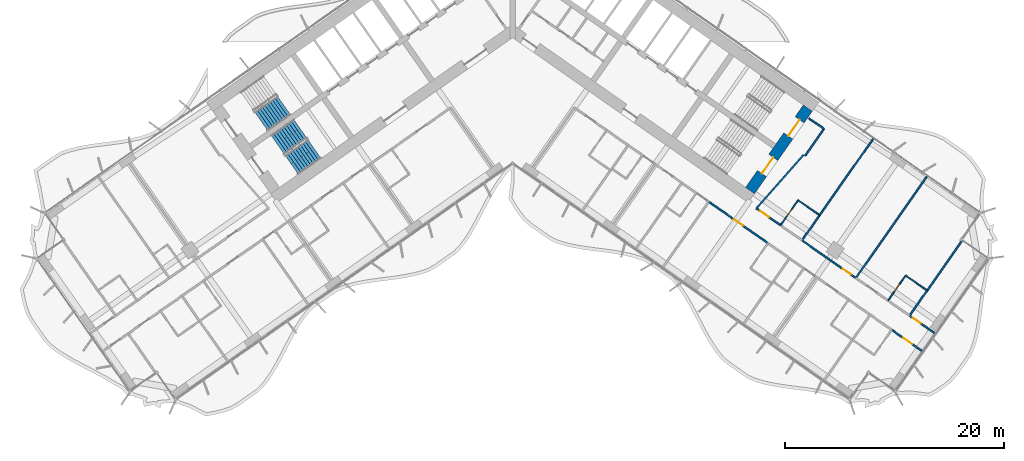
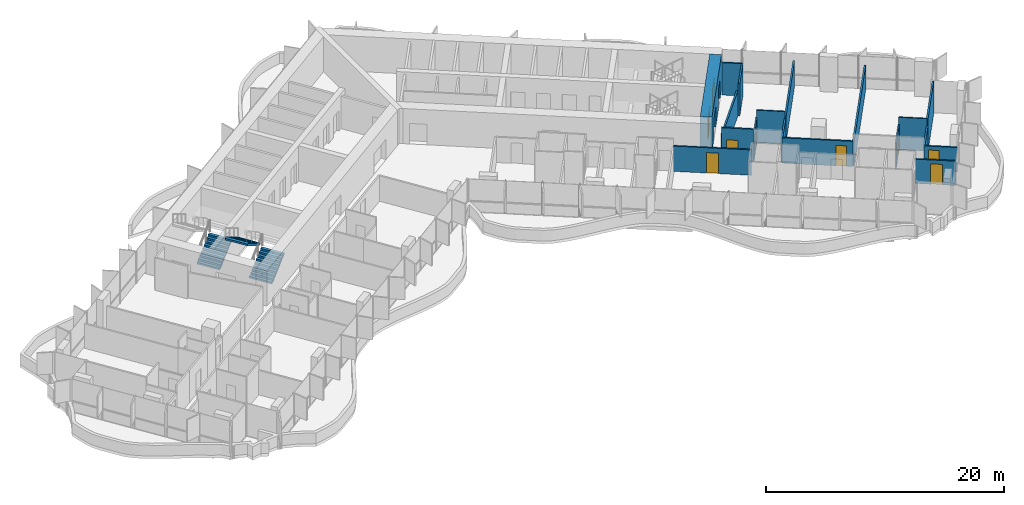
# One storey, part 17 of 24: 18 walls, 9 doors, 3 stair flights, 9 openings, 2 elements without a shape of their own.
"""IFC4 building model written with IfcOpenShell, lengths in metres."""

from ifc_helpers import new_model, si_unit, direction, frame, frame_2d, origin, place, context, subcontext, project, spatial, polyline, rectangle, outline, extrude, material, layer, layer_set, type_object, element, fill, aggregate, save


model = new_model("IFC4")

# Units and contexts
model_context = context("Model", 3, precision=1e-05, world=origin(), true_north=direction((0.0, 1.0)))
body_context = subcontext(model_context, "Body", "Model", "MODEL_VIEW")
ifc_project = project(units=[si_unit("LENGTHUNIT", "METRE"), si_unit("AREAUNIT", "SQUARE_METRE"), si_unit("VOLUMEUNIT", "CUBIC_METRE"), si_unit("PLANEANGLEUNIT", "RADIAN"), si_unit("MASSUNIT", "GRAM", prefix="KILO")], contexts=[model_context])

# Site, building, storey
site_placement = place(None, origin())
site = spatial("IfcSite", under=ifc_project, at=site_placement, CompositionType="ELEMENT")
building_placement = place(site_placement, origin())
building = spatial("IfcBuilding", under=site, at=building_placement, Name="Tel Ilan Convention Tower", CompositionType="ELEMENT")
storey_placement = place(building_placement, frame((0.0, 0.0, 65.300048828125)))
storey = spatial("IfcBuildingStorey", under=building, at=storey_placement, Name="L11", CompositionType="ELEMENT", Elevation=65.300048828125)

# Wall, openings, doors
ifc_material_1 = material(Name="Concrete C60/75", Category="concrete")
ifc_layer_1 = layer(ifc_material_1, 1.0)
ifc_layer_set_1 = layer_set([ifc_layer_1], Name="Core Shear Wall 1000 mm C60/75")
wall_type_1 = type_object("IfcWallType", Name="Core Shear Wall 1000 mm C60/75", PredefinedType="SHEAR", material=ifc_layer_set_1)
wall_1_placement = place(storey_placement, frame((21.70751953125, -15.19970703125, 0.0), z_axis=(0.0, 0.0, 1.0), x_axis=(0.573576324356, 0.819152122709, 0.0)))
wall_1 = element("IfcWall", 1, at=wall_1_placement, inside=storey, type_object=wall_type_1, Name="L11 core wall E-end", PredefinedType="SHEAR", context=body_context, shape_type="SweptSolid", body=[
    extrude(outline(polyline([(9.199951171875, 0.5), (0.0, 0.5), (0.0, -0.5), (9.199951171875, -0.5), (9.199951171875, 0.5)])), origin(), (0.0, 0.0, 1.0), 3.599853515625),
])
opening_1_placement = place(wall_1_placement, frame((6.10009765625, 0.0, 0.0)))
opening_1 = element("IfcOpeningElement", 2, at=opening_1_placement, cuts=wall_1, Name="Opening SD1203", PredefinedType="OPENING", context=body_context, shape_type="SweptSolid", body=[
    extrude(rectangle(XDim=1.800048828125, YDim=2.10009765625, at=frame_2d((0.89990234375, 1.050048828125))), frame((0.0, 0.510009765625, 0.0), z_axis=(0.0, -1.0, 0.0), x_axis=(1.0, 0.0, 0.0)), (0.0, 0.0, 1.0), 1.02001953125),
])
opening_2_placement = place(wall_1_placement, frame((1.89990234375, 0.0, 0.0)))
opening_2 = element("IfcOpeningElement", 3, at=opening_2_placement, cuts=wall_1, Name="Opening SD1204", PredefinedType="OPENING", context=body_context, shape_type="SweptSolid", body=[
    extrude(rectangle(XDim=1.800048828125, YDim=2.10009765625, at=frame_2d((0.89990234375, 1.050048828125))), frame((0.0, 0.510009765625, 0.0), z_axis=(0.0, -1.0, 0.0), x_axis=(1.0, 0.0, 0.0)), (0.0, 0.0, 1.0), 1.02001953125),
])
ifc_material_2 = material(Name="Galvanised Steel Door Leaf", Category="steel")
door_type_1 = type_object("IfcDoorType", Name="Stair Fire Door 1800 x 2100 FD60S", OperationType="NOTDEFINED", PredefinedType="DOOR", material=ifc_material_2)
door_1_placement = place(opening_1_placement, origin())
door_1 = element("IfcDoor", 4, at=door_1_placement, inside=storey, type_object=door_type_1, Name="Stair S3 door", OperationType="DOUBLE_DOOR_SINGLE_SWING", OverallHeight=2.10009765625, OverallWidth=1.800048828125, PredefinedType="DOOR", context=body_context, shape_type="SweptSolid", body=[
    extrude(rectangle(XDim=1.800048828125, YDim=2.10009765625, at=frame_2d((0.89990234375, 1.050048828125))), frame((0.0, 0.02490234375, 0.0), z_axis=(0.0, -1.0, 0.0), x_axis=(1.0, 0.0, 0.0)), (0.0, 0.0, 1.0), 0.050048828125),
])
fill(opening_1, door_1)
door_2_placement = place(opening_2_placement, origin())
door_2 = element("IfcDoor", 5, at=door_2_placement, inside=storey, type_object=door_type_1, Name="Stair S4 door", OperationType="DOUBLE_DOOR_SINGLE_SWING", OverallHeight=2.10009765625, OverallWidth=1.800048828125, PredefinedType="DOOR", context=body_context, shape_type="SweptSolid", body=[
    extrude(rectangle(XDim=1.800048828125, YDim=2.10009765625, at=frame_2d((0.89990234375, 1.050048828125))), frame((0.0, 0.02490234375, 0.0), z_axis=(0.0, -1.0, 0.0), x_axis=(1.0, 0.0, 0.0)), (0.0, 0.0, 1.0), 0.050048828125),
])
fill(opening_2, door_2)

# Wall, opening, door
ifc_material_3 = material(Name="Plasterboard on Steel Studs", Category="steel")
ifc_layer_2 = layer(ifc_material_3, 0.14990234375)
ifc_layer_set_2 = layer_set([ifc_layer_2], Name="Fire-rated Partition 150 EI 60")
wall_type_2 = type_object("IfcWallType", Name="Fire-rated Partition 150 EI 60", PredefinedType="PARTITIONING", material=ifc_layer_set_2)
wall_2_placement = place(storey_placement, frame((22.28369140625, -16.823974609375, 0.0), z_axis=(0.0, 0.0, 1.0), x_axis=(0.819176640776, -0.573541307325, 0.0)))
wall_2 = element("IfcWall", 6, at=wall_2_placement, inside=storey, type_object=wall_type_2, Name="Partition 001", PredefinedType="PARTITIONING", context=body_context, shape_type="SweptSolid", body=[
    extrude(rectangle(XDim=2.697509765625, YDim=0.14990234375, at=frame_2d((1.3486328125, 0.0))), origin(), (0.0, 0.0, 1.0), 3.320068359375),
])
opening_3_placement = place(wall_2_placement, frame((0.396240234375, 0.0, 0.0)))
opening_3 = element("IfcOpeningElement", 7, at=opening_3_placement, cuts=wall_2, Name="Opening L11-035", PredefinedType="OPENING", context=body_context, shape_type="SweptSolid", body=[
    extrude(rectangle(XDim=1.0, YDim=2.10009765625, at=frame_2d((0.5, 1.050048828125))), frame((0.0, 0.0849609375, 0.0), z_axis=(0.0, -1.0, 0.0), x_axis=(1.0, 0.0, 0.0)), (0.0, 0.0, 1.0), 0.169921875),
])
ifc_material_4 = material(Name="Timber Door Leaf in Steel Frame", Category="steel")
door_type_2 = type_object("IfcDoorType", Name="Hotel Room Entrance Fire Door 1000x2100", OperationType="NOTDEFINED", PredefinedType="DOOR", material=ifc_material_4)
door_3_placement = place(opening_3_placement, origin())
door_3 = element("IfcDoor", 8, at=door_3_placement, inside=storey, type_object=door_type_2, Name="Door L11-035", OperationType="SINGLE_SWING_LEFT", OverallHeight=2.10009765625, OverallWidth=1.0, PredefinedType="DOOR", context=body_context, shape_type="SweptSolid", body=[
    extrude(rectangle(XDim=1.0, YDim=2.10009765625, at=frame_2d((0.5, 1.050048828125))), frame((0.0, 0.02490234375, 0.0), z_axis=(0.0, -1.0, 0.0), x_axis=(1.0, 0.0, 0.0)), (0.0, 0.0, 1.0), 0.050048828125),
])
fill(opening_3, door_3)

wall_3_placement = place(storey_placement, frame((26.456787109375, -19.74609375, 0.0), z_axis=(0.0, 0.0, 1.0), x_axis=(0.819165052243, -0.573557858619, 0.0)))
wall_3 = element("IfcWall", 9, at=wall_3_placement, inside=storey, type_object=wall_type_2, Name="Partition 003", PredefinedType="PARTITIONING", context=body_context, shape_type="SweptSolid", body=[
    extrude(rectangle(XDim=6.00390625, YDim=0.14990234375, at=frame_2d((3.001953125, 0.0))), origin(), (0.0, 0.0, 1.0), 2.599853515625),
])
opening_4_placement = place(wall_3_placement, frame((4.552001953125, 0.0, 0.0)))
opening_4 = element("IfcOpeningElement", 10, at=opening_4_placement, cuts=wall_3, Name="Opening L11-036", PredefinedType="OPENING", context=body_context, shape_type="SweptSolid", body=[
    extrude(rectangle(XDim=0.89990234375, YDim=2.10009765625, at=frame_2d((0.449951171875, 1.050048828125))), frame((0.0, 0.0849609375, 0.0), z_axis=(0.0, -1.0, 0.0), x_axis=(1.0, 0.0, 0.0)), (0.0, 0.0, 1.0), 0.169921875),
])
ifc_material_5 = material(Name="Timber Door Leaf in Steel Frame", Category="steel")
door_type_3 = type_object("IfcDoorType", Name="Room Fire Door 900x2100", OperationType="NOTDEFINED", PredefinedType="DOOR", material=ifc_material_5)
door_4_placement = place(opening_4_placement, origin())
door_4 = element("IfcDoor", 11, at=door_4_placement, inside=storey, type_object=door_type_3, Name="Door L11-036", OperationType="SINGLE_SWING_RIGHT", OverallHeight=2.10009765625, OverallWidth=0.89990234375, PredefinedType="DOOR", context=body_context, shape_type="SweptSolid", body=[
    extrude(rectangle(XDim=0.89990234375, YDim=2.10009765625, at=frame_2d((0.449951171875, 1.050048828125))), frame((0.0, 0.02490234375, 0.0), z_axis=(0.0, -1.0, 0.0), x_axis=(1.0, 0.0, 0.0)), (0.0, 0.0, 1.0), 0.050048828125),
])
fill(opening_4, door_4)

wall_4_placement = place(storey_placement, frame((36.28662109375, -26.62890625, 0.0), z_axis=(0.0, 0.0, 1.0), x_axis=(0.819137759006, -0.573596837309, 0.0)))
wall_4 = element("IfcWall", 12, at=wall_4_placement, inside=storey, type_object=wall_type_2, Name="Partition 006", PredefinedType="PARTITIONING", context=body_context, shape_type="SweptSolid", body=[
    extrude(rectangle(XDim=2.802001953125, YDim=0.14990234375, at=frame_2d((1.40087890625, 0.0))), origin(), (0.0, 0.0, 1.0), 2.5),
])
opening_5_placement = place(wall_4_placement, frame((0.35107421875, 0.0, 0.0)))
opening_5 = element("IfcOpeningElement", 13, at=opening_5_placement, cuts=wall_4, Name="Opening L11-039", PredefinedType="OPENING", context=body_context, shape_type="SweptSolid", body=[
    extrude(rectangle(XDim=0.89990234375, YDim=2.10009765625, at=frame_2d((0.449951171875, 1.050048828125))), frame((0.0, 0.0849609375, 0.0), z_axis=(0.0, -1.0, 0.0), x_axis=(1.0, 0.0, 0.0)), (0.0, 0.0, 1.0), 0.169921875),
])
door_5_placement = place(opening_5_placement, origin())
door_5 = element("IfcDoor", 14, at=door_5_placement, inside=storey, type_object=door_type_3, Name="Door L11-039", OperationType="SINGLE_SWING_LEFT", OverallHeight=2.10009765625, OverallWidth=0.89990234375, PredefinedType="DOOR", context=body_context, shape_type="SweptSolid", body=[
    extrude(rectangle(XDim=0.89990234375, YDim=2.10009765625, at=frame_2d((0.449951171875, 1.050048828125))), frame((0.0, 0.02490234375, 0.0), z_axis=(0.0, -1.0, 0.0), x_axis=(1.0, 0.0, 0.0)), (0.0, 0.0, 1.0), 0.050048828125),
])
fill(opening_5, door_5)

wall_5_placement = place(storey_placement, frame((23.34619140625, -20.009521484375, 0.0), z_axis=(0.0, 0.0, 1.0), x_axis=(-0.819153746897, 0.573574004767, 0.0)))
wall_5 = element("IfcWall", 15, at=wall_5_placement, inside=storey, type_object=wall_type_2, Name="Partition 014", PredefinedType="PARTITIONING", context=body_context, shape_type="SweptSolid", body=[
    extrude(rectangle(XDim=6.60302734375, YDim=0.14990234375, at=frame_2d((3.301513671875, 0.0))), origin(), (0.0, 0.0, 1.0), 2.599853515625),
])
opening_6_placement = place(wall_5_placement, frame((2.801025390625, 0.0, 0.0)))
opening_6 = element("IfcOpeningElement", 16, at=opening_6_placement, cuts=wall_5, Name="Opening L11-027", PredefinedType="OPENING", context=body_context, shape_type="SweptSolid", body=[
    extrude(rectangle(XDim=1.0, YDim=2.10009765625, at=frame_2d((0.5, 1.050048828125))), frame((0.0, 0.0849609375, 0.0), z_axis=(0.0, -1.0, 0.0), x_axis=(1.0, 0.0, 0.0)), (0.0, 0.0, 1.0), 0.169921875),
])
door_6_placement = place(opening_6_placement, origin())
door_6 = element("IfcDoor", 17, at=door_6_placement, inside=storey, type_object=door_type_2, Name="Door L11-027", OperationType="SINGLE_SWING_RIGHT", OverallHeight=2.10009765625, OverallWidth=1.0, PredefinedType="DOOR", context=body_context, shape_type="SweptSolid", body=[
    extrude(rectangle(XDim=1.0, YDim=2.10009765625, at=frame_2d((0.5, 1.050048828125))), frame((0.0, 0.02490234375, 0.0), z_axis=(0.0, -1.0, 0.0), x_axis=(1.0, 0.0, 0.0)), (0.0, 0.0, 1.0), 0.050048828125),
])
fill(opening_6, door_6)

wall_6_placement = place(storey_placement, frame((37.434814453125, -29.87451171875, 0.0), z_axis=(0.0, 0.0, 1.0), x_axis=(-0.819144234337, 0.573587589957, 0.0)))
wall_6 = element("IfcWall", 18, at=wall_6_placement, inside=storey, type_object=wall_type_2, Name="Partition 020", PredefinedType="PARTITIONING", context=body_context, shape_type="SweptSolid", body=[
    extrude(rectangle(XDim=3.4013671875, YDim=0.14990234375, at=frame_2d((1.70068359375, 0.0))), origin(), (0.0, 0.0, 1.0), 2.5),
])
opening_7_placement = place(wall_6_placement, frame((1.10009765625, 0.0, 0.0)))
opening_7 = element("IfcOpeningElement", 19, at=opening_7_placement, cuts=wall_6, Name="Opening L11-033", PredefinedType="OPENING", context=body_context, shape_type="SweptSolid", body=[
    extrude(rectangle(XDim=1.0, YDim=2.10009765625, at=frame_2d((0.5, 1.050048828125))), frame((0.0, 0.0849609375, 0.0), z_axis=(0.0, -1.0, 0.0), x_axis=(1.0, 0.0, 0.0)), (0.0, 0.0, 1.0), 0.169921875),
])
door_7_placement = place(opening_7_placement, origin())
door_7 = element("IfcDoor", 20, at=door_7_placement, inside=storey, type_object=door_type_2, Name="Door L11-033", OperationType="SINGLE_SWING_RIGHT", OverallHeight=2.10009765625, OverallWidth=1.0, PredefinedType="DOOR", context=body_context, shape_type="SweptSolid", body=[
    extrude(rectangle(XDim=1.0, YDim=2.10009765625, at=frame_2d((0.5, 1.050048828125))), frame((0.0, 0.02490234375, 0.0), z_axis=(0.0, -1.0, 0.0), x_axis=(1.0, 0.0, 0.0)), (0.0, 0.0, 1.0), 0.050048828125),
])
fill(opening_7, door_7)

# Walls
wall_7_placement = place(storey_placement, frame((32.93994140625, -10.49072265625, 0.0), z_axis=(0.0, 0.0, 1.0), x_axis=(-0.573593433868, -0.819140142237, 0.0)))
element("IfcWall", 21, at=wall_7_placement, inside=storey, type_object=wall_type_2, Name="Partition 042", PredefinedType="PARTITIONING", context=body_context, shape_type="SweptSolid", body=[
    extrude(rectangle(XDim=8.4990234375, YDim=0.14990234375, at=frame_2d((4.24951171875, 0.0))), origin(), (0.0, 0.0, 1.0), 2.599853515625),
])
wall_8_placement = place(storey_placement, frame((22.285400390625, -16.8251953125, 0.0), z_axis=(0.0, 0.0, 1.0), x_axis=(0.661551268245, 0.749899939647, 0.0)))
element("IfcWall", 22, at=wall_8_placement, inside=storey, type_object=wall_type_2, Name="Partition 043", PredefinedType="PARTITIONING", context=body_context, shape_type="SweptSolid", body=[
    extrude(rectangle(XDim=6.541015625, YDim=0.14990234375, at=frame_2d((3.2705078125, 0.0))), origin(), (0.0, 0.0, 1.0), 2.599853515625),
])
wall_9_placement = place(storey_placement, frame((26.74609375, -12.013671875, 0.0), z_axis=(0.0, 0.0, 1.0), x_axis=(0.573560650686, 0.819163097304, 0.0)))
element("IfcWall", 23, at=wall_9_placement, inside=storey, type_object=wall_type_2, Name="Partition 044", PredefinedType="PARTITIONING", context=body_context, shape_type="SweptSolid", body=[
    extrude(rectangle(XDim=3.0, YDim=0.14990234375, at=frame_2d((1.5, 0.0))), origin(), (0.0, 0.0, 1.0), 3.320068359375),
])
wall_10_placement = place(storey_placement, frame((28.466796875, -9.55615234375, 0.0), z_axis=(0.0, 0.0, 1.0), x_axis=(-0.819109000826, 0.573637903879, 0.0)))
element("IfcWall", 24, at=wall_10_placement, inside=storey, type_object=wall_type_2, Name="Partition 045", PredefinedType="PARTITIONING", context=body_context, shape_type="SweptSolid", body=[
    extrude(rectangle(XDim=1.679931640625, YDim=0.14990234375, at=frame_2d((0.83984375, 0.0))), origin(), (0.0, 0.0, 1.0), 3.320068359375),
])
wall_11_placement = place(storey_placement, frame((28.064453125, -17.45361328125, 0.0), z_axis=(0.0, 0.0, 1.0), x_axis=(-0.573550118428, -0.819170471667, 0.0)))
element("IfcWall", 25, at=wall_11_placement, inside=storey, type_object=wall_type_2, Name="Partition 046", PredefinedType="PARTITIONING", context=body_context, shape_type="SweptSolid", body=[
    extrude(rectangle(XDim=2.800048828125, YDim=0.14990234375, at=frame_2d((1.39990234375, 0.0))), origin(), (0.0, 0.0, 1.0), 2.599853515625),
])
wall_12_placement = place(storey_placement, frame((37.854736328125, -13.93212890625, 0.0), z_axis=(0.0, 0.0, 1.0), x_axis=(-0.573571089604, -0.819155788095, 0.0)))
element("IfcWall", 26, at=wall_12_placement, inside=storey, type_object=wall_type_2, Name="Partition 047", PredefinedType="PARTITIONING", context=body_context, shape_type="SweptSolid", body=[
    extrude(rectangle(XDim=11.300048828125, YDim=0.14990234375, at=frame_2d((5.64990234375, 0.0))), origin(), (0.0, 0.0, 1.0), 2.5),
])
wall_13_placement = place(storey_placement, frame((41.048828125, -19.8310546875, 0.0), z_axis=(0.0, 0.0, 1.0), x_axis=(-0.573530875885, -0.819183944183, 0.0)))
element("IfcWall", 27, at=wall_13_placement, inside=storey, type_object=wall_type_2, Name="Partition 050", PredefinedType="PARTITIONING", context=body_context, shape_type="SweptSolid", body=[
    extrude(rectangle(XDim=5.4990234375, YDim=0.14990234375, at=frame_2d((2.74951171875, 0.0))), origin(), (0.0, 0.0, 1.0), 3.320068359375),
])
wall_14_placement = place(storey_placement, frame((37.894287109375, -24.33642578125, 0.0), z_axis=(0.0, 0.0, 1.0), x_axis=(-0.573550118428, -0.819170471667, 0.0)))
element("IfcWall", 28, at=wall_14_placement, inside=storey, type_object=wall_type_2, Name="Partition 051", PredefinedType="PARTITIONING", context=body_context, shape_type="SweptSolid", body=[
    extrude(rectangle(XDim=2.800048828125, YDim=0.14990234375, at=frame_2d((1.39990234375, 0.0))), origin(), (0.0, 0.0, 1.0), 2.599853515625),
])

# Wall, opening, door
ifc_material_6 = material(Name="Plasterboard on Steel Studs", Category="steel")
ifc_layer_3 = layer(ifc_material_6, 0.1201171875)
ifc_layer_set_3 = layer_set([ifc_layer_3], Name="Moisture-resistant Partition 120")
wall_type_3 = type_object("IfcWallType", Name="Moisture-resistant Partition 120", PredefinedType="PARTITIONING", material=ifc_layer_set_3)
wall_15_placement = place(storey_placement, frame((26.09765625, -16.076416015625, 0.0), z_axis=(0.0, 0.0, 1.0), x_axis=(-0.573550118428, -0.819170471667, 0.0)))
wall_15 = element("IfcWall", 29, at=wall_15_placement, inside=storey, type_object=wall_type_3, Name="Partition 040", PredefinedType="PARTITIONING", context=body_context, shape_type="SweptSolid", body=[
    extrude(rectangle(XDim=2.800048828125, YDim=0.1201171875, at=frame_2d((1.39990234375, 0.0))), origin(), (0.0, 0.0, 1.0), 2.599853515625),
])
opening_8_placement = place(wall_15_placement, frame((0.97509765625, 0.0, 0.0)))
opening_8 = element("IfcOpeningElement", 30, at=opening_8_placement, cuts=wall_15, Name="Opening L11-034", PredefinedType="OPENING", context=body_context, shape_type="SweptSolid", body=[
    extrude(rectangle(XDim=0.85009765625, YDim=2.050048828125, at=frame_2d((0.425048828125, 1.02490234375))), frame((0.0, 0.070068359375, 0.0), z_axis=(0.0, -1.0, 0.0), x_axis=(1.0, 0.0, 0.0)), (0.0, 0.0, 1.0), 0.14013671875),
])
ifc_material_7 = material(Name="Timber Door Leaf in Steel Frame", Category="steel")
door_type_4 = type_object("IfcDoorType", Name="Bathroom Timber Door 850x2050", OperationType="NOTDEFINED", PredefinedType="DOOR", material=ifc_material_7)
door_8_placement = place(opening_8_placement, origin())
door_8 = element("IfcDoor", 31, at=door_8_placement, inside=storey, type_object=door_type_4, Name="Door L11-034", OperationType="SINGLE_SWING_RIGHT", OverallHeight=2.050048828125, OverallWidth=0.85009765625, PredefinedType="DOOR", context=body_context, shape_type="SweptSolid", body=[
    extrude(rectangle(XDim=0.85009765625, YDim=2.050048828125, at=frame_2d((0.425048828125, 1.02490234375))), frame((0.0, 0.02490234375, 0.0), z_axis=(0.0, -1.0, 0.0), x_axis=(1.0, 0.0, 0.0)), (0.0, 0.0, 1.0), 0.050048828125),
])
fill(opening_8, door_8)

# Walls
wall_16_placement = place(storey_placement, frame((28.06494140625, -17.45263671875, 0.0), z_axis=(0.0, 0.0, 1.0), x_axis=(-0.819155442668, 0.573571582932, 0.0)))
element("IfcWall", 32, at=wall_16_placement, inside=storey, type_object=wall_type_3, Name="Partition 041", PredefinedType="PARTITIONING", context=body_context, shape_type="SweptSolid", body=[
    extrude(rectangle(XDim=2.39990234375, YDim=0.1201171875, at=frame_2d((1.199951171875, 0.0))), origin(), (0.0, 0.0, 1.0), 3.320068359375),
])
wall_17_placement = place(storey_placement, frame((37.89501953125, -24.335693359375, 0.0), z_axis=(0.0, 0.0, 1.0), x_axis=(-0.819141114317, 0.573592045652, 0.0)))
element("IfcWall", 33, at=wall_17_placement, inside=storey, type_object=wall_type_3, Name="Partition 048", PredefinedType="PARTITIONING", context=body_context, shape_type="SweptSolid", body=[
    extrude(rectangle(XDim=2.400146484375, YDim=0.1201171875, at=frame_2d((1.2001953125, 0.0))), origin(), (0.0, 0.0, 1.0), 3.320068359375),
])

# Wall, opening, door
wall_18_placement = place(storey_placement, frame((35.927490234375, -22.959228515625, 0.0), z_axis=(0.0, 0.0, 1.0), x_axis=(-0.573550118428, -0.819170471667, 0.0)))
wall_18 = element("IfcWall", 34, at=wall_18_placement, inside=storey, type_object=wall_type_3, Name="Partition 049", PredefinedType="PARTITIONING", context=body_context, shape_type="SweptSolid", body=[
    extrude(rectangle(XDim=2.800048828125, YDim=0.1201171875, at=frame_2d((1.39990234375, 0.0))), origin(), (0.0, 0.0, 1.0), 2.599853515625),
])
opening_9_placement = place(wall_18_placement, frame((0.97509765625, 0.0, 0.0)))
opening_9 = element("IfcOpeningElement", 35, at=opening_9_placement, cuts=wall_18, Name="Opening L11-037", PredefinedType="OPENING", context=body_context, shape_type="SweptSolid", body=[
    extrude(rectangle(XDim=0.85009765625, YDim=2.050048828125, at=frame_2d((0.425048828125, 1.02490234375))), frame((0.0, 0.070068359375, 0.0), z_axis=(0.0, -1.0, 0.0), x_axis=(1.0, 0.0, 0.0)), (0.0, 0.0, 1.0), 0.14013671875),
])
door_9_placement = place(opening_9_placement, origin())
door_9 = element("IfcDoor", 36, at=door_9_placement, inside=storey, type_object=door_type_4, Name="Door L11-037", OperationType="SINGLE_SWING_LEFT", OverallHeight=2.050048828125, OverallWidth=0.85009765625, PredefinedType="DOOR", context=body_context, shape_type="SweptSolid", body=[
    extrude(rectangle(XDim=0.85009765625, YDim=2.050048828125, at=frame_2d((0.425048828125, 1.02490234375))), frame((0.0, 0.02490234375, 0.0), z_axis=(0.0, -1.0, 0.0), x_axis=(1.0, 0.0, 0.0)), (0.0, 0.0, 1.0), 0.050048828125),
])
fill(opening_9, door_9)

# Stair, stair flight
ifc_material_8 = material(Name="Concrete C40/50", Category="concrete")
stair_type = type_object("IfcStairType", Name="Pressurised Exit Stair 20 risers 180 mm", PredefinedType="HALF_TURN_STAIR", material=ifc_material_8)
stair_1_placement = place(storey_placement, origin())
stair_1 = element("IfcStair", 37, at=stair_1_placement, inside=storey, type_object=stair_type, Name="L11 Pressurised Stair S1", PredefinedType="HALF_TURN_STAIR")
ifc_material_9 = material(Name="Precast Concrete C40/50", Category="concrete")
stair_flight_type = type_object("IfcStairFlightType", Name="Concrete Stair Flight 2100 mm 20 risers 180 mm", PredefinedType="STRAIGHT", material=ifc_material_9)
stair_flight_1_placement = place(storey_placement, frame((-22.9619140625, -8.87548828125, 0.0), z_axis=(0.0, 0.0, 1.0), x_axis=(0.819152044289, 0.573576436351, 0.0)))
stair_flight_1 = element("IfcStairFlight", 38, at=stair_flight_1_placement, type_object=stair_flight_type, Name="S1 flight 1", NumberOfRisers=10, NumberOfTreads=9, PredefinedType="STRAIGHT", RiserHeight=0.18, TreadLength=0.28, context=body_context, shape_type="SweptSolid", body=[
    extrude(outline(polyline([(0.0, 0.0), (0.0, 0.179931640625), (0.280029296875, 0.179931640625), (0.280029296875, 0.360107421875), (0.56005859375, 0.360107421875), (0.56005859375, 0.5400390625), (0.840087890625, 0.5400390625), (0.840087890625, 0.719970703125), (1.1201171875, 0.719970703125), (1.1201171875, 0.89990234375), (1.39990234375, 0.89990234375), (1.39990234375, 1.080078125), (1.679931640625, 1.080078125), (1.679931640625, 1.260009765625), (1.9599609375, 1.260009765625), (1.9599609375, 1.43994140625), (2.239990234375, 1.43994140625), (2.239990234375, 1.6201171875), (2.52001953125, 1.6201171875), (2.52001953125, 1.800048828125), (2.52001953125, 1.44189453125), (0.277099609375, 0.0), (0.0, 0.0)])), frame((0.0, -0.100341796875, 0.0), z_axis=(0.0, -1.0, 0.0), x_axis=(1.0, 0.0, 0.0)), (0.0, 0.0, 1.0), 0.94970703125),
    extrude(outline(polyline([(0.0, 0.0), (0.0, 0.179931640625), (0.280029296875, 0.179931640625), (0.280029296875, 0.360107421875), (0.56005859375, 0.360107421875), (0.56005859375, 0.5400390625), (0.840087890625, 0.5400390625), (0.840087890625, 0.719970703125), (1.1201171875, 0.719970703125), (1.1201171875, 0.89990234375), (1.39990234375, 0.89990234375), (1.39990234375, 1.080078125), (1.679931640625, 1.080078125), (1.679931640625, 1.260009765625), (1.9599609375, 1.260009765625), (1.9599609375, 1.43994140625), (2.239990234375, 1.43994140625), (2.239990234375, 1.6201171875), (2.52001953125, 1.6201171875), (2.52001953125, 1.800048828125), (2.52001953125, 1.44189453125), (0.277099609375, 0.0), (0.0, 0.0)])), frame((0.0, -0.000244140625, 0.0), z_axis=(0.0, -1.0, 0.0), x_axis=(1.0, 0.0, 0.0)), (0.0, 0.0, 1.0), 0.099609375),
    extrude(outline(polyline([(0.0, 0.0), (0.0, 0.179931640625), (0.280029296875, 0.179931640625), (0.280029296875, 0.360107421875), (0.56005859375, 0.360107421875), (0.56005859375, 0.5400390625), (0.840087890625, 0.5400390625), (0.840087890625, 0.719970703125), (1.1201171875, 0.719970703125), (1.1201171875, 0.89990234375), (1.39990234375, 0.89990234375), (1.39990234375, 1.080078125), (1.679931640625, 1.080078125), (1.679931640625, 1.260009765625), (1.9599609375, 1.260009765625), (1.9599609375, 1.43994140625), (2.239990234375, 1.43994140625), (2.239990234375, 1.6201171875), (2.52001953125, 1.6201171875), (2.52001953125, 1.800048828125), (2.52001953125, 1.44189453125), (0.277099609375, 0.0), (0.0, 0.0)])), frame((0.0, 0.099853515625, 0.0), z_axis=(0.0, -1.0, 0.0), x_axis=(1.0, 0.0, 0.0)), (0.0, 0.0, 1.0), 0.099609375),
    extrude(outline(polyline([(0.0, 0.0), (0.0, 0.179931640625), (0.280029296875, 0.179931640625), (0.280029296875, 0.360107421875), (0.56005859375, 0.360107421875), (0.56005859375, 0.5400390625), (0.840087890625, 0.5400390625), (0.840087890625, 0.719970703125), (1.1201171875, 0.719970703125), (1.1201171875, 0.89990234375), (1.39990234375, 0.89990234375), (1.39990234375, 1.080078125), (1.679931640625, 1.080078125), (1.679931640625, 1.260009765625), (1.9599609375, 1.260009765625), (1.9599609375, 1.43994140625), (2.239990234375, 1.43994140625), (2.239990234375, 1.6201171875), (2.52001953125, 1.6201171875), (2.52001953125, 1.800048828125), (2.52001953125, 1.44189453125), (0.277099609375, 0.0), (0.0, 0.0)])), frame((0.0, 1.050048828125, 0.0), z_axis=(0.0, -1.0, 0.0), x_axis=(1.0, 0.0, 0.0)), (0.0, 0.0, 1.0), 0.94970703125),
])
aggregate(stair_1, [stair_flight_1])

# Stair, stair flights
stair_2_placement = place(storey_placement, origin())
stair_2 = element("IfcStair", 39, at=stair_2_placement, inside=storey, type_object=stair_type, Name="L11 Pressurised Stair S2", PredefinedType="HALF_TURN_STAIR")
stair_flight_2_placement = place(storey_placement, frame((-20.179931640625, -12.848388671875, 0.0), z_axis=(0.0, 0.0, 1.0), x_axis=(0.819152044289, 0.573576436351, 0.0)))
stair_flight_2 = element("IfcStairFlight", 40, at=stair_flight_2_placement, type_object=stair_flight_type, Name="S2 flight 1", NumberOfRisers=10, NumberOfTreads=9, PredefinedType="STRAIGHT", RiserHeight=0.18, TreadLength=0.28, context=body_context, shape_type="SweptSolid", body=[
    extrude(outline(polyline([(0.0, 0.0), (0.0, 0.179931640625), (0.280029296875, 0.179931640625), (0.280029296875, 0.360107421875), (0.56005859375, 0.360107421875), (0.56005859375, 0.5400390625), (0.840087890625, 0.5400390625), (0.840087890625, 0.719970703125), (1.1201171875, 0.719970703125), (1.1201171875, 0.89990234375), (1.39990234375, 0.89990234375), (1.39990234375, 1.080078125), (1.679931640625, 1.080078125), (1.679931640625, 1.260009765625), (1.9599609375, 1.260009765625), (1.9599609375, 1.43994140625), (2.239990234375, 1.43994140625), (2.239990234375, 1.6201171875), (2.52001953125, 1.6201171875), (2.52001953125, 1.800048828125), (2.52001953125, 1.44189453125), (0.277099609375, 0.0), (0.0, 0.0)])), frame((0.0, -0.100341796875, 0.0), z_axis=(0.0, -1.0, 0.0), x_axis=(1.0, 0.0, 0.0)), (0.0, 0.0, 1.0), 0.94970703125),
    extrude(outline(polyline([(0.0, 0.0), (0.0, 0.179931640625), (0.280029296875, 0.179931640625), (0.280029296875, 0.360107421875), (0.56005859375, 0.360107421875), (0.56005859375, 0.5400390625), (0.840087890625, 0.5400390625), (0.840087890625, 0.719970703125), (1.1201171875, 0.719970703125), (1.1201171875, 0.89990234375), (1.39990234375, 0.89990234375), (1.39990234375, 1.080078125), (1.679931640625, 1.080078125), (1.679931640625, 1.260009765625), (1.9599609375, 1.260009765625), (1.9599609375, 1.43994140625), (2.239990234375, 1.43994140625), (2.239990234375, 1.6201171875), (2.52001953125, 1.6201171875), (2.52001953125, 1.800048828125), (2.52001953125, 1.44189453125), (0.277099609375, 0.0), (0.0, 0.0)])), frame((0.0, -0.000244140625, 0.0), z_axis=(0.0, -1.0, 0.0), x_axis=(1.0, 0.0, 0.0)), (0.0, 0.0, 1.0), 0.099609375),
    extrude(outline(polyline([(0.0, 0.0), (0.0, 0.179931640625), (0.280029296875, 0.179931640625), (0.280029296875, 0.360107421875), (0.56005859375, 0.360107421875), (0.56005859375, 0.5400390625), (0.840087890625, 0.5400390625), (0.840087890625, 0.719970703125), (1.1201171875, 0.719970703125), (1.1201171875, 0.89990234375), (1.39990234375, 0.89990234375), (1.39990234375, 1.080078125), (1.679931640625, 1.080078125), (1.679931640625, 1.260009765625), (1.9599609375, 1.260009765625), (1.9599609375, 1.43994140625), (2.239990234375, 1.43994140625), (2.239990234375, 1.6201171875), (2.52001953125, 1.6201171875), (2.52001953125, 1.800048828125), (2.52001953125, 1.44189453125), (0.277099609375, 0.0), (0.0, 0.0)])), frame((0.0, 0.099853515625, 0.0), z_axis=(0.0, -1.0, 0.0), x_axis=(1.0, 0.0, 0.0)), (0.0, 0.0, 1.0), 0.099609375),
    extrude(outline(polyline([(0.0, 0.0), (0.0, 0.179931640625), (0.280029296875, 0.179931640625), (0.280029296875, 0.360107421875), (0.56005859375, 0.360107421875), (0.56005859375, 0.5400390625), (0.840087890625, 0.5400390625), (0.840087890625, 0.719970703125), (1.1201171875, 0.719970703125), (1.1201171875, 0.89990234375), (1.39990234375, 0.89990234375), (1.39990234375, 1.080078125), (1.679931640625, 1.080078125), (1.679931640625, 1.260009765625), (1.9599609375, 1.260009765625), (1.9599609375, 1.43994140625), (2.239990234375, 1.43994140625), (2.239990234375, 1.6201171875), (2.52001953125, 1.6201171875), (2.52001953125, 1.800048828125), (2.52001953125, 1.44189453125), (0.277099609375, 0.0), (0.0, 0.0)])), frame((0.0, 1.050048828125, 0.0), z_axis=(0.0, -1.0, 0.0), x_axis=(1.0, 0.0, 0.0)), (0.0, 0.0, 1.0), 0.94970703125),
])
stair_flight_3_placement = place(storey_placement, frame((-19.40625, -9.559814453125, 1.800048828125), z_axis=(0.0, 0.0, 1.0), x_axis=(-0.819152044289, -0.573576436351, 0.0)))
stair_flight_3 = element("IfcStairFlight", 41, at=stair_flight_3_placement, type_object=stair_flight_type, Name="S2 flight 2", NumberOfRisers=10, NumberOfTreads=9, PredefinedType="STRAIGHT", RiserHeight=0.18, TreadLength=0.28, context=body_context, shape_type="SweptSolid", body=[
    extrude(outline(polyline([(0.0, 0.0), (0.0, 0.179931640625), (0.280029296875, 0.179931640625), (0.280029296875, 0.360107421875), (0.56005859375, 0.360107421875), (0.56005859375, 0.5400390625), (0.840087890625, 0.5400390625), (0.840087890625, 0.719970703125), (1.1201171875, 0.719970703125), (1.1201171875, 0.89990234375), (1.39990234375, 0.89990234375), (1.39990234375, 1.080078125), (1.679931640625, 1.080078125), (1.679931640625, 1.260009765625), (1.9599609375, 1.260009765625), (1.9599609375, 1.43994140625), (2.239990234375, 1.43994140625), (2.239990234375, 1.6201171875), (2.52001953125, 1.6201171875), (2.52001953125, 1.800048828125), (2.52001953125, 1.44189453125), (0.277099609375, 0.0), (0.0, 0.0)])), frame((0.0, -0.100341796875, 0.0), z_axis=(0.0, -1.0, 0.0), x_axis=(1.0, 0.0, 0.0)), (0.0, 0.0, 1.0), 0.94970703125),
    extrude(outline(polyline([(0.0, 0.0), (0.0, 0.179931640625), (0.280029296875, 0.179931640625), (0.280029296875, 0.360107421875), (0.56005859375, 0.360107421875), (0.56005859375, 0.5400390625), (0.840087890625, 0.5400390625), (0.840087890625, 0.719970703125), (1.1201171875, 0.719970703125), (1.1201171875, 0.89990234375), (1.39990234375, 0.89990234375), (1.39990234375, 1.080078125), (1.679931640625, 1.080078125), (1.679931640625, 1.260009765625), (1.9599609375, 1.260009765625), (1.9599609375, 1.43994140625), (2.239990234375, 1.43994140625), (2.239990234375, 1.6201171875), (2.52001953125, 1.6201171875), (2.52001953125, 1.800048828125), (2.52001953125, 1.44189453125), (0.277099609375, 0.0), (0.0, 0.0)])), frame((0.0, -0.000244140625, 0.0), z_axis=(0.0, -1.0, 0.0), x_axis=(1.0, 0.0, 0.0)), (0.0, 0.0, 1.0), 0.099609375),
    extrude(outline(polyline([(0.0, 0.0), (0.0, 0.179931640625), (0.280029296875, 0.179931640625), (0.280029296875, 0.360107421875), (0.56005859375, 0.360107421875), (0.56005859375, 0.5400390625), (0.840087890625, 0.5400390625), (0.840087890625, 0.719970703125), (1.1201171875, 0.719970703125), (1.1201171875, 0.89990234375), (1.39990234375, 0.89990234375), (1.39990234375, 1.080078125), (1.679931640625, 1.080078125), (1.679931640625, 1.260009765625), (1.9599609375, 1.260009765625), (1.9599609375, 1.43994140625), (2.239990234375, 1.43994140625), (2.239990234375, 1.6201171875), (2.52001953125, 1.6201171875), (2.52001953125, 1.800048828125), (2.52001953125, 1.44189453125), (0.277099609375, 0.0), (0.0, 0.0)])), frame((0.0, 0.099853515625, 0.0), z_axis=(0.0, -1.0, 0.0), x_axis=(1.0, 0.0, 0.0)), (0.0, 0.0, 1.0), 0.099609375),
    extrude(outline(polyline([(0.0, 0.0), (0.0, 0.179931640625), (0.280029296875, 0.179931640625), (0.280029296875, 0.360107421875), (0.56005859375, 0.360107421875), (0.56005859375, 0.5400390625), (0.840087890625, 0.5400390625), (0.840087890625, 0.719970703125), (1.1201171875, 0.719970703125), (1.1201171875, 0.89990234375), (1.39990234375, 0.89990234375), (1.39990234375, 1.080078125), (1.679931640625, 1.080078125), (1.679931640625, 1.260009765625), (1.9599609375, 1.260009765625), (1.9599609375, 1.43994140625), (2.239990234375, 1.43994140625), (2.239990234375, 1.6201171875), (2.52001953125, 1.6201171875), (2.52001953125, 1.800048828125), (2.52001953125, 1.44189453125), (0.277099609375, 0.0), (0.0, 0.0)])), frame((0.0, 1.050048828125, 0.0), z_axis=(0.0, -1.0, 0.0), x_axis=(1.0, 0.0, 0.0)), (0.0, 0.0, 1.0), 0.94970703125),
])
aggregate(stair_2, [stair_flight_2, stair_flight_3])

save(model, "model.ifc")
